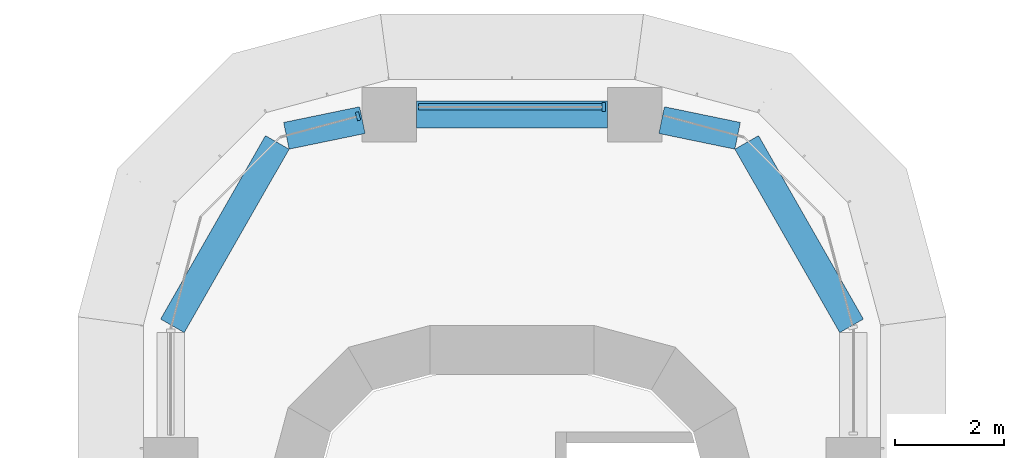
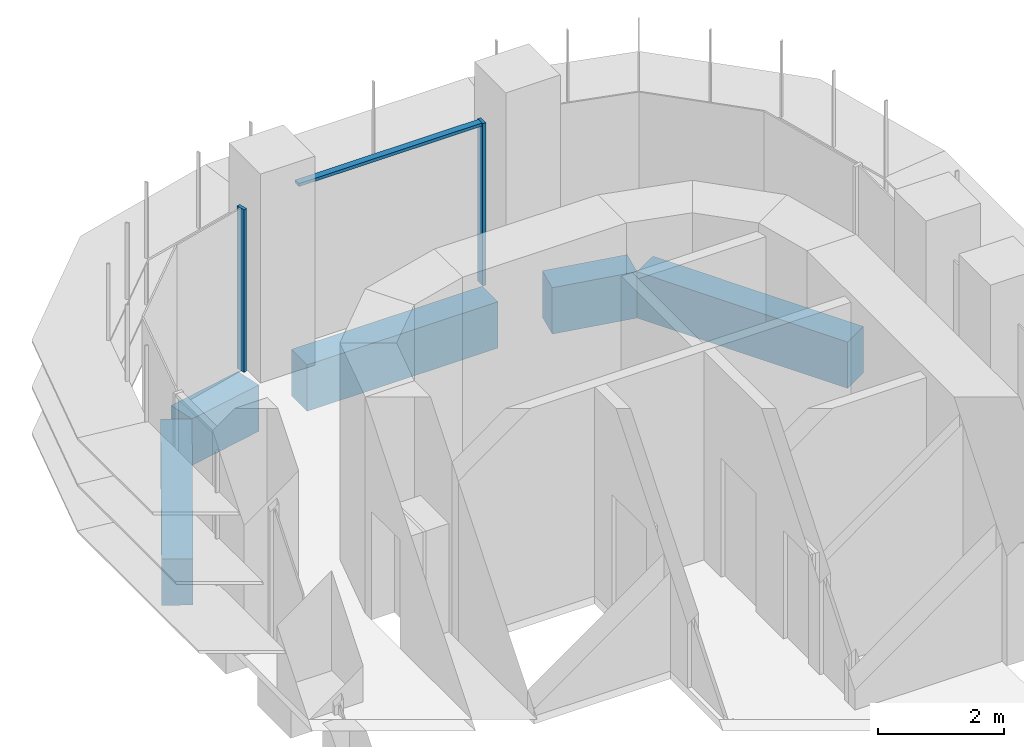
# One storey, part 12 of 23: 5 beams, 3 members, 2 elements without a shape of their own.
"""IFC4 building model written with IfcOpenShell, lengths in metres."""

import ifcopenshell
import ifcopenshell.guid

model = None  # the IFC model being written
_history = None  # IfcOwnerHistory: only IFC2X3 demands one
_inside = {}  # id of a spatial element -> (the spatial element, [elements in it])
_under = {}  # id of a project, library or spatial element -> (it, [spatial elements below it])
_declared = {}  # id of a project -> (the project, [libraries it declares])
_typed = {}  # id of a type object -> (the type object, [elements of that type])
_made_of = {}  # id of a material, layer set ... -> (it, [elements and type objects made of it])


def new_model(schema):
    """Start an empty IFC model of exactly this schema.

    Asked for "IFC4X3", IfcOpenShell would pick the latest addendum, in which some entities
    have other attributes; the version numbers below select the first issue.
    IFC2X3 requires an IfcOwnerHistory on every rooted entity: one is made here for all.
    """
    global model, _history
    if schema == "IFC4X3":
        model = ifcopenshell.file(schema_version=(4, 3, 0, 0))
    else:
        model = ifcopenshell.file(schema=schema)
    _inside.clear()
    _under.clear()
    _declared.clear()
    _typed.clear()
    _made_of.clear()
    _history = None
    if model.schema == "IFC2X3":
        org = make("IfcOrganization", Name="unknown")
        user = make(
            "IfcPersonAndOrganization",
            ThePerson=make("IfcPerson", FamilyName="unknown"),
            TheOrganization=org,
        )
        app = make(
            "IfcApplication",
            ApplicationDeveloper=org,
            Version="unknown",
            ApplicationFullName="unknown",
            ApplicationIdentifier="unknown",
        )
        _history = make(
            "IfcOwnerHistory",
            OwningUser=user,
            OwningApplication=app,
            ChangeAction="ADDED",
            CreationDate=0,
        )
    return model


def make(cls, **values):
    """One entity of the class cls with the attributes given. An attribute that is None is left unset."""
    return model.create_entity(
        cls, **{name: value for name, value in values.items() if value is not None}
    )


def rooted(cls, **values):
    """An entity with a GlobalId (a new one), such as an element, a storey or a relation."""
    return make(cls, GlobalId=ifcopenshell.guid.new(), OwnerHistory=_history, **values)


def si_unit(unit_type, name, prefix=None):
    """IfcSIUnit, for example si_unit("LENGTHUNIT", "METRE", prefix="MILLI")."""
    return make("IfcSIUnit", UnitType=unit_type, Prefix=prefix, Name=name)


def assignment(units):
    """IfcUnitAssignment: the units of a project."""
    return None if units is None else make("IfcUnitAssignment", Units=units)


def point(xyz):
    """IfcCartesianPoint."""
    return None if xyz is None else make("IfcCartesianPoint", Coordinates=xyz)


def direction(xyz):
    """IfcDirection."""
    return None if xyz is None else make("IfcDirection", DirectionRatios=xyz)


def frame(location, z_axis=None, x_axis=None):
    """IfcAxis2Placement3D, a coordinate frame: its origin and axes. An axis left out is left unset."""
    return make(
        "IfcAxis2Placement3D",
        Location=point(location),
        Axis=direction(z_axis),
        RefDirection=direction(x_axis),
    )


def frame_2d(location, x_axis=None):
    """IfcAxis2Placement2D, a coordinate frame in the plane: its origin and x axis."""
    return make(
        "IfcAxis2Placement2D", Location=point(location), RefDirection=direction(x_axis)
    )


def origin():
    """The frame at (0, 0, 0) with its axes left unset."""
    return frame((0.0, 0.0, 0.0))


def origin_2d():
    """The frame at (0, 0) in the plane with its x axis left unset."""
    return frame_2d((0.0, 0.0))


def place(relative_to, where):
    """IfcLocalPlacement: puts the frame where relative to a parent placement (None: the world)."""
    return make(
        "IfcLocalPlacement", PlacementRelTo=relative_to, RelativePlacement=where
    )


def context(
    kind, dimensions, precision=None, world=None, true_north=None, identifier=None
):
    """IfcGeometricRepresentationContext, for example the 3D "Model" context."""
    return make(
        "IfcGeometricRepresentationContext",
        ContextIdentifier=identifier,
        ContextType=kind,
        CoordinateSpaceDimension=dimensions,
        Precision=precision,
        WorldCoordinateSystem=world,
        TrueNorth=true_north,
    )


def subcontext(parent, identifier, kind, view, scale=None):
    """IfcGeometricRepresentationSubContext, for example "Body" below "Model"."""
    return make(
        "IfcGeometricRepresentationSubContext",
        ContextIdentifier=identifier,
        ContextType=kind,
        ParentContext=parent,
        TargetScale=scale,
        TargetView=view,
    )


def project(units=None, contexts=None):
    """IfcProject with its units and contexts."""
    return rooted(
        "IfcProject",
        Name="project",
        RepresentationContexts=contexts,
        UnitsInContext=assignment(units),
    )


def spatial(cls, under=None, at=None, **own):
    """A site, building, storey or space (cls), placed at a placement, below another one or the project."""
    s = rooted(cls, ObjectPlacement=at, **own)
    if under is not None:
        _under.setdefault(under.id(), (under, []))[1].append(s)
    return s


def polyline(points):
    """IfcPolyline through the points."""
    return make("IfcPolyline", Points=[point(p) for p in points])


def profile(cls, at=None, kind="AREA", **sizes):
    """A parametric profile (cls). Its sizes go by their IFC names, for example OverallWidth=200.0."""
    return make(cls, ProfileType=kind, Position=at, **sizes)


def rectangle(**sizes):
    """IfcRectangleProfileDef."""
    return profile("IfcRectangleProfileDef", **sizes)


def outline(outer, holes=None, kind="AREA"):
    """IfcArbitraryClosedProfileDef: a profile drawn as a closed curve; with holes, ...WithVoids."""
    if holes is None:
        return make("IfcArbitraryClosedProfileDef", ProfileType=kind, OuterCurve=outer)
    return make(
        "IfcArbitraryProfileDefWithVoids",
        ProfileType=kind,
        OuterCurve=outer,
        InnerCurves=holes,
    )


def extrude(swept, where, along, depth):
    """IfcExtrudedAreaSolid: the profile swept, set in the frame where, extruded along a direction by depth."""
    return make(
        "IfcExtrudedAreaSolid",
        SweptArea=swept,
        Position=where,
        ExtrudedDirection=direction(along),
        Depth=depth,
    )


def shape(context_of_items, identifier, shape_type, items):
    """IfcShapeRepresentation: the items that make up one representation, for example the "Body"."""
    return make(
        "IfcShapeRepresentation",
        ContextOfItems=context_of_items,
        RepresentationIdentifier=identifier,
        RepresentationType=shape_type,
        Items=items,
    )


def source(mapping_origin, context_of_items, identifier, shape_type, items):
    """IfcRepresentationMap: a shape defined once, which mapped items show again and again."""
    return make(
        "IfcRepresentationMap",
        MappingOrigin=mapping_origin,
        MappedRepresentation=shape(context_of_items, identifier, shape_type, items),
    )


def transform(
    local_origin,
    x_axis=None,
    y_axis=None,
    z_axis=None,
    scale=None,
    scale2=None,
    scale3=None,
    uniform=True,
):
    """IfcCartesianTransformationOperator3D, or its non-uniform kind. x_axis, y_axis, z_axis: its Axis1, 2, 3."""
    if uniform:
        return make(
            "IfcCartesianTransformationOperator3D",
            Axis1=direction(x_axis),
            Axis2=direction(y_axis),
            LocalOrigin=point(local_origin),
            Scale=scale,
            Axis3=direction(z_axis),
        )
    return make(
        "IfcCartesianTransformationOperator3DnonUniform",
        Axis1=direction(x_axis),
        Axis2=direction(y_axis),
        LocalOrigin=point(local_origin),
        Scale=scale,
        Axis3=direction(z_axis),
        Scale2=scale2,
        Scale3=scale3,
    )


def mapped(mapping_source, mapping_target):
    """IfcMappedItem: shows the shape of a source again, moved by a transform."""
    return make(
        "IfcMappedItem", MappingSource=mapping_source, MappingTarget=mapping_target
    )


def material(Name=None, Category=None):
    """IfcMaterial."""
    return make("IfcMaterial", Name=Name, Category=Category)


def material_profile(
    of_material, cross_section, Name=None, Category=None, Priority=None
):
    """IfcMaterialProfile: a cross section and its material."""
    return make(
        "IfcMaterialProfile",
        Name=Name,
        Material=of_material,
        Profile=cross_section,
        Priority=Priority,
        Category=Category,
    )


def profile_set(profiles, Name=None, composite=None):
    """IfcMaterialProfileSet."""
    return make(
        "IfcMaterialProfileSet",
        Name=Name,
        MaterialProfiles=profiles,
        CompositeProfile=composite,
    )


def made_of(thing, what):
    """Note that an element or type object is made of a material, layer set ...; save() writes the relation."""
    if what is not None:
        _made_of.setdefault(what.id(), (what, []))[1].append(thing)
    return thing


def type_object(cls, material=None, **own):
    """A type object (cls), such as IfcWallType, which elements share."""
    return made_of(rooted(cls, **own), material)


def element(
    cls,
    number,
    at=None,
    inside=None,
    cuts=None,
    type_object=None,
    material=None,
    context=None,
    identifier="Body",
    shape_type=None,
    held_by="IfcProductDefinitionShape",
    body=None,
    shapes=None,
    **own,
):
    """One element of the class cls, such as IfcWall. Its Tag is "e" and its number.

    at: its placement. inside: the storey or other place that contains it. cuts: it is an
    opening in that element (IfcRelVoidsElement). A single representation is given by context,
    identifier, shape_type and body (its items); several are given by shapes. held_by: the class
    of the entity that holds the representations. save() writes the other relations.
    """
    e = rooted(cls, Tag="e%d" % number, ObjectPlacement=at, **own)
    if body is not None:
        shapes = [shape(context, identifier, shape_type, body)]
    if shapes is not None:
        e.Representation = make(held_by, Representations=shapes)
    if inside is not None:
        _inside.setdefault(inside.id(), (inside, []))[1].append(e)
    if cuts is not None:
        rooted(
            "IfcRelVoidsElement", RelatingBuildingElement=cuts, RelatedOpeningElement=e
        )
    if type_object is not None:
        _typed.setdefault(type_object.id(), (type_object, []))[1].append(e)
    return made_of(e, material)


def aggregate(whole, parts):
    """IfcRelAggregates: a whole, such as a stair, and the parts it consists of."""
    return rooted("IfcRelAggregates", RelatingObject=whole, RelatedObjects=parts)


def save(model, path):
    """Write the relations noted so far, then the file.

    IfcRelAggregates (storeys below a building ...), IfcRelContainedInSpatialStructure (elements
    in a storey), IfcRelDefinesByType, IfcRelAssociatesMaterial and IfcRelDeclares: one each for
    every whole, place, type object, material and project.
    """
    for whole, parts in _under.values():
        aggregate(whole, parts)
    for where, things in _inside.values():
        rooted(
            "IfcRelContainedInSpatialStructure",
            RelatedElements=things,
            RelatingStructure=where,
        )
    for kind, things in _typed.values():
        rooted("IfcRelDefinesByType", RelatedObjects=things, RelatingType=kind)
    for what, things in _made_of.values():
        rooted("IfcRelAssociatesMaterial", RelatedObjects=things, RelatingMaterial=what)
    for by, libraries in _declared.values():
        rooted("IfcRelDeclares", RelatingContext=by, RelatedDefinitions=libraries)
    model.write(path)


model = new_model("IFC4")

# Units and contexts
model_context = context("Model", 3, precision=1e-05, world=origin(), true_north=direction((0.0, 1.0)))
body_context = subcontext(model_context, "Body", "Model", "MODEL_VIEW")
ifc_project = project(units=[si_unit("LENGTHUNIT", "METRE"), si_unit("AREAUNIT", "SQUARE_METRE"), si_unit("VOLUMEUNIT", "CUBIC_METRE"), si_unit("PLANEANGLEUNIT", "RADIAN"), si_unit("MASSUNIT", "GRAM", prefix="KILO")], contexts=[model_context])

# Site, building, storey
site_placement = place(None, origin())
site = spatial("IfcSite", under=ifc_project, at=site_placement, CompositionType="ELEMENT")
building_placement = place(site_placement, origin())
building = spatial("IfcBuilding", under=site, at=building_placement, Name="Zarbagh Exchange Tower", CompositionType="ELEMENT")
storey_placement = place(building_placement, frame((0.0, 0.0, 43.800048828125)))
storey = spatial("IfcBuildingStorey", under=building, at=storey_placement, Name="L09", CompositionType="ELEMENT", Elevation=43.800048828125)

# Beams
ifc_material_1 = material(Name="Concrete C60/75", Category="concrete")
ifc_material_profile = material_profile(ifc_material_1, rectangle(XDim=0.5, YDim=0.89990234375, at=origin_2d()), Name="RC spandrel beam 500 x 900 C60/75")
ifc_profile_set = profile_set([ifc_material_profile], Name="Concrete C60/75")
beam_type = type_object("IfcBeamType", Name="RC spandrel beam 500 x 900 C60/75", PredefinedType="SPANDREL", material=ifc_profile_set)
beam_1_placement = place(storey_placement, frame((-6.217041015625, 29.24169921875, -0.60009765625), z_axis=(0.496220481126, 0.868196541177, 0.0), x_axis=(-0.868196541177, 0.496220481126, 0.0)))
element("IfcBeam", 1, at=beam_1_placement, inside=storey, type_object=beam_type, Name="RC spandrel beam", PredefinedType="SPANDREL", context=body_context, shape_type="SweptSolid", body=[
    extrude(rectangle(XDim=0.5, YDim=0.89990234375, at=origin_2d()), origin(), (0.0, 0.0, 1.0), 3.869140625),
])
beam_2_placement = place(storey_placement, frame((-4.130615234375, 32.7216796875, -0.60009765625), z_axis=(0.979352054934, 0.202162193541, 0.0), x_axis=(-0.202162193541, 0.979352054934, 0.0)))
element("IfcBeam", 2, at=beam_2_placement, inside=storey, type_object=beam_type, Name="RC spandrel beam", PredefinedType="SPANDREL", context=body_context, shape_type="SweptSolid", body=[
    extrude(rectangle(XDim=0.5, YDim=0.89990234375, at=origin_2d()), origin(), (0.0, 0.0, 1.0), 1.420166015625),
])
beam_3_placement = place(storey_placement, frame((-1.75, 33.110107421875, -0.60009765625), z_axis=(1.0, 0.0, 0.0), x_axis=(0.0, 1.0, 0.0)))
element("IfcBeam", 3, at=beam_3_placement, inside=storey, type_object=beam_type, Name="RC spandrel beam", PredefinedType="SPANDREL", context=body_context, shape_type="SweptSolid", body=[
    extrude(rectangle(XDim=0.5, YDim=0.89990234375, at=origin_2d()), origin(), (0.0, 0.0, 1.0), 3.5),
])
beam_4_placement = place(storey_placement, frame((2.73974609375, 33.0087890625, -0.60009765625), z_axis=(0.979352054934, -0.202162193541, 0.0), x_axis=(0.202162193541, 0.979352054934, 0.0)))
element("IfcBeam", 4, at=beam_4_placement, inside=storey, type_object=beam_type, Name="RC spandrel beam", PredefinedType="SPANDREL", context=body_context, shape_type="SweptSolid", body=[
    extrude(rectangle(XDim=0.5, YDim=0.89990234375, at=origin_2d()), origin(), (0.0, 0.0, 1.0), 1.420166015625),
])
beam_5_placement = place(storey_placement, frame((4.297119140625, 32.600830078125, -0.60009765625), z_axis=(0.496220481126, -0.868196541177, 0.0), x_axis=(0.868196541177, 0.496220481126, 0.0)))
element("IfcBeam", 5, at=beam_5_placement, inside=storey, type_object=beam_type, Name="RC spandrel beam", PredefinedType="SPANDREL", context=body_context, shape_type="SweptSolid", body=[
    extrude(rectangle(XDim=0.5, YDim=0.89990234375, at=origin_2d()), origin(), (0.0, 0.0, 1.0), 3.869140625),
])

# Curtain wall, member
ifc_material_2 = material(Name="Anodised aluminium frame and glazing", Category="aluminium")
curtain_wall_type = type_object("IfcCurtainWallType", Name="CWA Ribbon glazing, lower zones", PredefinedType="NOTDEFINED", material=ifc_material_2)
curtain_wall_1_placement = place(storey_placement, origin())
curtain_wall_1 = element("IfcCurtainWall", 6, at=curtain_wall_1_placement, inside=storey, type_object=curtain_wall_type, Name="CWA24 curtain wall", PredefinedType="NOTDEFINED")
ifc_material_3 = material(Name="Anodised aluminium frame", Category="aluminium")
member_type_1 = type_object("IfcMemberType", Name="MUA Mullion, anodised aluminium frame", PredefinedType="MULLION", material=ifc_material_3)
shared_shape_1 = source(origin(), body_context, "Body", "SweptSolid", [
    extrude(outline(polyline([(0.0, -0.080078125), (0.06005859375, -0.080078125), (0.06005859375, 0.080078125), (0.0, 0.080078125), (0.0, -0.080078125)])), origin(), (0.0, 0.0, 1.0), 3.14990234375),
])
placement = place(storey_placement, origin())
member_1 = element("IfcMember", 7, at=placement, type_object=member_type_1, Name="CWA24 mullion 1.1", PredefinedType="MULLION", context=body_context, shape_type="MappedRepresentation", body=[
    mapped(shared_shape_1, transform((1.7099609375, 33.25, 0.0), x_axis=(-1.0, 0.0, 0.0), y_axis=(0.0, -1.0, 0.0), z_axis=(0.0, 0.0, 1.0))),
])

curtain_wall_2_placement = place(storey_placement, origin())
curtain_wall_2 = element("IfcCurtainWall", 8, at=curtain_wall_2_placement, inside=storey, type_object=curtain_wall_type, Name="CWA25 curtain wall", PredefinedType="NOTDEFINED")
member_2 = element("IfcMember", 9, at=placement, type_object=member_type_1, Name="CWA25 mullion 1.1", PredefinedType="MULLION", context=body_context, shape_type="MappedRepresentation", body=[
    mapped(shared_shape_1, transform((-2.7900390625, 33.087646484375, 0.0), x_axis=(-0.965924289636, -0.258824779902, 0.0), y_axis=(0.258824779902, -0.965924289636, 0.0), z_axis=(0.0, 0.0, 1.0))),
])
aggregate(curtain_wall_2, [member_2])

# Member
member_type_2 = type_object("IfcMemberType", Name="TRA Transom, anodised aluminium frame", PredefinedType="USERDEFINED", material=ifc_material_3)
shared_shape_2 = source(origin(), body_context, "Body", "SweptSolid", [
    extrude(outline(polyline([(-0.06005859375, -0.06005859375), (0.0, -0.06005859375), (0.0, 0.06005859375), (-0.06005859375, 0.06005859375), (-0.06005859375, -0.06005859375)])), origin(), (0.0, 0.0, 1.0), 3.360107421875),
])
member_3 = element("IfcMember", 10, at=placement, type_object=member_type_2, Name="CWA24 transom 1.1", ObjectType="TRANSOM", PredefinedType="USERDEFINED", context=body_context, shape_type="MappedRepresentation", body=[
    mapped(shared_shape_2, transform((1.64990234375, 33.25, 3.14990234375), x_axis=(0.0, 0.0, 1.0), y_axis=(0.0, 1.0, 0.0), z_axis=(-1.0, 0.0, 0.0))),
])

aggregate(curtain_wall_1, [member_1, member_3])

save(model, "model.ifc")
